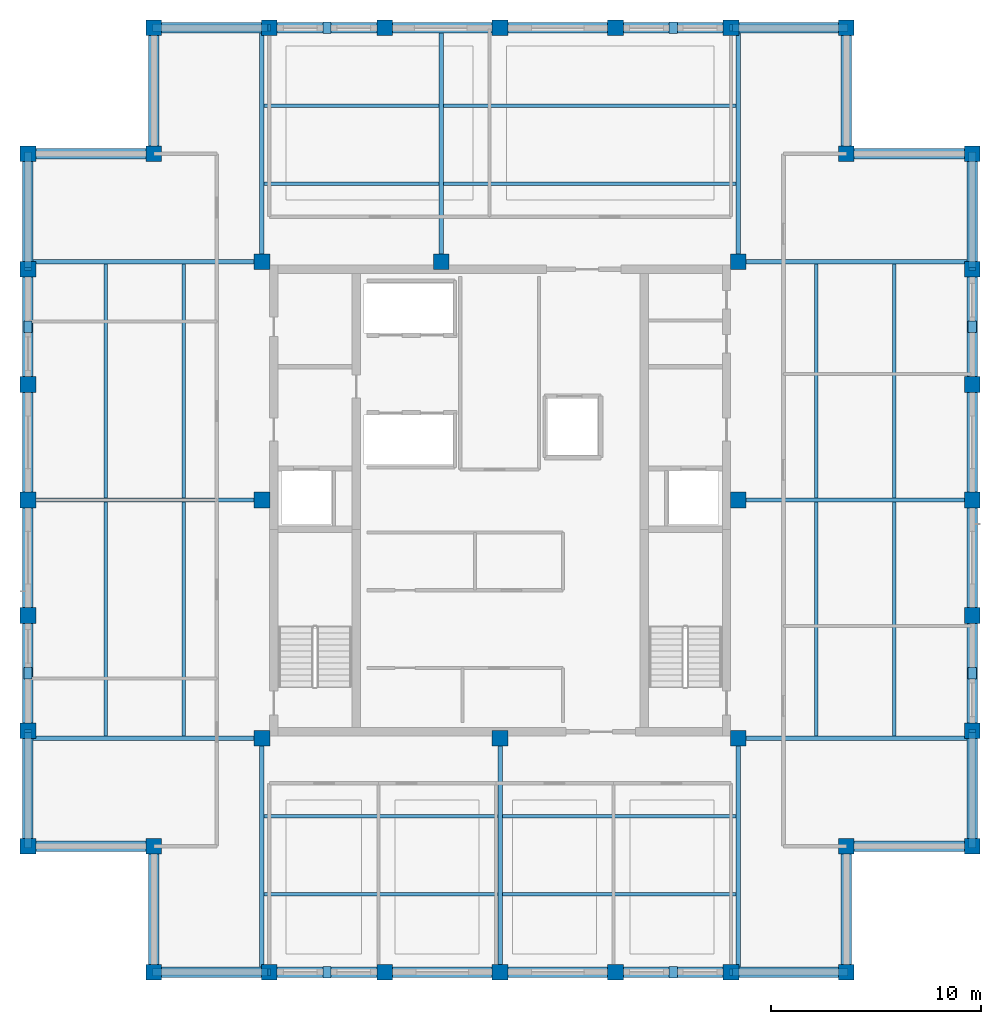
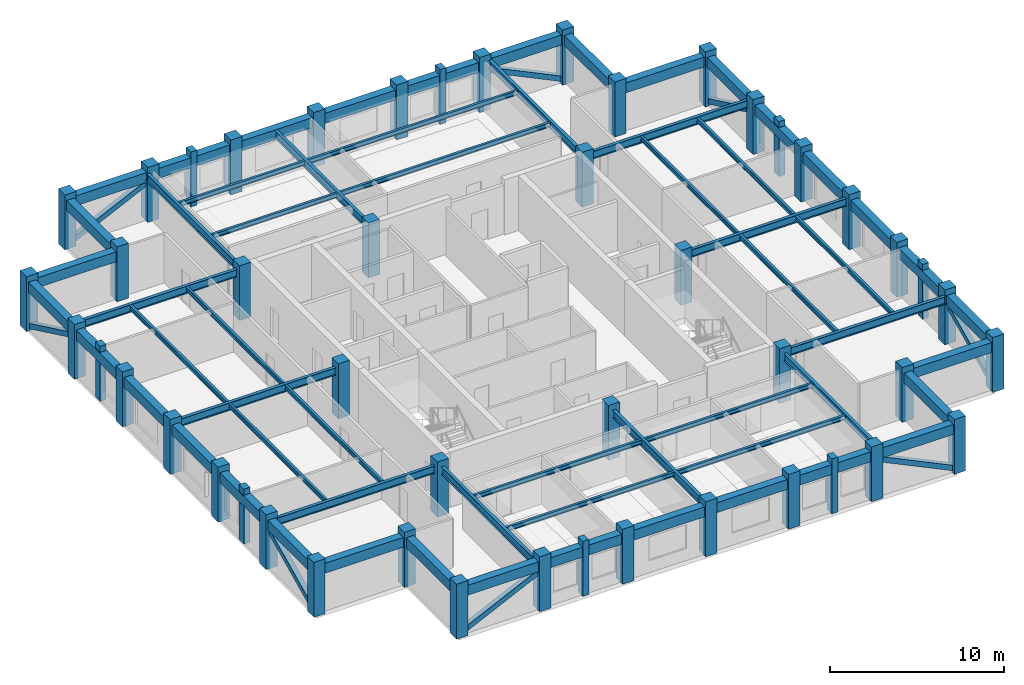
# One storey, part 1 of 10: 60 beams, 40 columns, 16 members.
"""IFC4 building model written with IfcOpenShell, lengths in metres."""

from ifc_helpers import new_model, si_unit, direction, frame, origin, origin_2d, place, context, subcontext, project, spatial, rectangle, hollow_rectangle, i_section, extrude, material, material_profile, profile_set, type_object, element, save


model = new_model("IFC4")

# Units and contexts
model_context = context("Model", 3, precision=1e-05, world=origin(), true_north=direction((0.0, 1.0)))
body_context = subcontext(model_context, "Body", "Model", "MODEL_VIEW")
ifc_project = project(units=[si_unit("LENGTHUNIT", "METRE"), si_unit("AREAUNIT", "SQUARE_METRE"), si_unit("VOLUMEUNIT", "CUBIC_METRE"), si_unit("PLANEANGLEUNIT", "RADIAN"), si_unit("MASSUNIT", "GRAM", prefix="KILO")], contexts=[model_context])

# Site, building, storey
site_placement = place(None, origin())
site = spatial("IfcSite", under=ifc_project, at=site_placement, CompositionType="ELEMENT")
building_placement = place(site_placement, origin())
building = spatial("IfcBuilding", under=site, at=building_placement, Name="Nhamokura Convention Tower", CompositionType="ELEMENT")
storey_placement = place(building_placement, frame((0.0, 0.0, 262.14990234375)))
storey = spatial("IfcBuildingStorey", under=building, at=storey_placement, Name="L64", CompositionType="ELEMENT", Elevation=262.14990234375)

# Columns
ifc_material_1 = material(Name="Concrete C50/60", Category="concrete")
ifc_material_profile_1 = material_profile(ifc_material_1, rectangle(XDim=0.75, YDim=0.75, at=origin_2d()))
ifc_profile_set_1 = profile_set([ifc_material_profile_1], Name="Concrete C50/60")
column_type = type_object("IfcColumnType", Name="TubeColumn_Z4_750", PredefinedType="COLUMN", material=ifc_profile_set_1)
for number, where, z_axis, x_axis, name in (
    (1, (20.64990234375, 20.64990234375, 0.0), (0.0, 0.0, 1.0), (1.0, 0.0, 0.0), "L64 Core Column CC-SW"),
    (2, (32.0, 20.64990234375, 0.0), (0.0, 0.0, 1.0), (1.0, 0.0, 0.0), "L64 Core Column CC-S"),
    (3, (43.35009765625, 20.64990234375, 0.0), (0.0, 0.0, 1.0), (1.0, 0.0, 0.0), "L64 Core Column CC-SE"),
    (4, (43.35009765625, 32.0, 0.0), (0.0, 0.0, 1.0), (1.0, 0.0, 0.0), "L64 Core Column CC-E"),
    (5, (43.35009765625, 43.35009765625, 0.0), (0.0, 0.0, 1.0), (1.0, 0.0, 0.0), "L64 Core Column CC-NE"),
    (6, (29.199951171875, 43.35009765625, 0.0), (0.0, 0.0, 1.0), (1.0, 0.0, 0.0), "L64 Core Column CC-N"),
    (7, (20.64990234375, 43.35009765625, 0.0), (0.0, 0.0, 1.0), (1.0, 0.0, 0.0), "L64 Core Column CC-NW"),
    (8, (20.64990234375, 32.0, 0.0), (0.0, 0.0, 1.0), (1.0, 0.0, 0.0), "L64 Core Column CC-W"),
    (9, (15.5, 9.5, 0.0), (0.0, 0.0, 1.0), (1.0, 0.0, 0.0), "L64 Perimeter Tube Column SW1"),
    (10, (15.5, 15.5, 0.0), (0.0, 0.0, 1.0), (1.0, 0.0, 0.0), "L64 Perimeter Tube Column SW0"),
    (11, (9.5, 15.5, 0.0), (0.0, 0.0, 1.0), (1.0, 0.0, 0.0), "L64 Perimeter Tube Column SW2"),
    (12, (48.5, 9.5, 0.0), (0.0, 0.0, 1.0), (1.0, 0.0, 0.0), "L64 Perimeter Tube Column SE1"),
    (13, (48.5, 15.5, 0.0), (0.0, 0.0, 1.0), (1.0, 0.0, 0.0), "L64 Perimeter Tube Column SE0"),
    (14, (54.5, 15.5, 0.0), (0.0, 0.0, 1.0), (1.0, 0.0, 0.0), "L64 Perimeter Tube Column SE2"),
    (15, (54.5, 48.5, 0.0), (0.0, 0.0, 1.0), (1.0, 0.0, 0.0), "L64 Perimeter Tube Column NE1"),
    (16, (48.5, 48.5, 0.0), (0.0, 0.0, 1.0), (1.0, 0.0, 0.0), "L64 Perimeter Tube Column NE0"),
    (17, (48.5, 54.5, 0.0), (0.0, 0.0, 1.0), (1.0, 0.0, 0.0), "L64 Perimeter Tube Column NE2"),
    (18, (15.5, 54.5, 0.0), (0.0, 0.0, 1.0), (1.0, 0.0, 0.0), "L64 Perimeter Tube Column NW1"),
    (19, (15.5, 48.5, 0.0), (0.0, 0.0, 1.0), (1.0, 0.0, 0.0), "L64 Perimeter Tube Column NW0"),
    (20, (9.5, 48.5, 0.0), (0.0, 0.0, 1.0), (1.0, 0.0, 0.0), "L64 Perimeter Tube Column NW2"),
    (21, (21.0, 9.5, 0.0), (0.0, 0.0, 1.0), (1.0, 0.0, 0.0), "L64 Perimeter Tube Column S1"),
    (22, (21.0, 54.5, 0.0), (0.0, 0.0, 1.0), (1.0, 0.0, 0.0), "L64 Perimeter Tube Column N1"),
    (23, (9.5, 21.0, 0.0), (0.0, 0.0, 1.0), (1.0, 0.0, 0.0), "L64 Perimeter Tube Column W1"),
    (24, (54.5, 21.0, 0.0), (0.0, 0.0, 1.0), (1.0, 0.0, 0.0), "L64 Perimeter Tube Column E1"),
    (25, (26.5, 9.5, 0.0), (0.0, 0.0, 1.0), (1.0, 0.0, 0.0), "L64 Perimeter Tube Column S2"),
    (26, (26.5, 54.5, 0.0), (0.0, 0.0, 1.0), (1.0, 0.0, 0.0), "L64 Perimeter Tube Column N2"),
    (27, (9.5, 26.5, 0.0), (0.0, 0.0, 1.0), (1.0, 0.0, 0.0), "L64 Perimeter Tube Column W2"),
    (28, (54.5, 26.5, 0.0), (0.0, 0.0, 1.0), (1.0, 0.0, 0.0), "L64 Perimeter Tube Column E2"),
    (29, (32.0, 9.5, 0.0), (0.0, 0.0, 1.0), (1.0, 0.0, 0.0), "L64 Perimeter Tube Column S3"),
    (30, (32.0, 54.5, 0.0), (0.0, 0.0, 1.0), (1.0, 0.0, 0.0), "L64 Perimeter Tube Column N3"),
    (31, (9.5, 32.0, 0.0), (0.0, 0.0, 1.0), (1.0, 0.0, 0.0), "L64 Perimeter Tube Column W3"),
    (32, (54.5, 32.0, 0.0), (0.0, 0.0, 1.0), (1.0, 0.0, 0.0), "L64 Perimeter Tube Column E3"),
    (33, (37.5, 9.5, 0.0), (0.0, 0.0, 1.0), (1.0, 0.0, 0.0), "L64 Perimeter Tube Column S4"),
    (34, (37.5, 54.5, 0.0), (0.0, 0.0, 1.0), (1.0, 0.0, 0.0), "L64 Perimeter Tube Column N4"),
    (35, (9.5, 37.5, 0.0), (0.0, 0.0, 1.0), (1.0, 0.0, 0.0), "L64 Perimeter Tube Column W4"),
    (36, (54.5, 37.5, 0.0), (0.0, 0.0, 1.0), (1.0, 0.0, 0.0), "L64 Perimeter Tube Column E4"),
    (37, (43.0, 9.5, 0.0), (0.0, 0.0, 1.0), (1.0, 0.0, 0.0), "L64 Perimeter Tube Column S5"),
    (38, (43.0, 54.5, 0.0), (0.0, 0.0, 1.0), (1.0, 0.0, 0.0), "L64 Perimeter Tube Column N5"),
    (39, (9.5, 43.0, 0.0), (0.0, 0.0, 1.0), (1.0, 0.0, 0.0), "L64 Perimeter Tube Column W5"),
    (40, (54.5, 43.0, 0.0), (0.0, 0.0, 1.0), (1.0, 0.0, 0.0), "L64 Perimeter Tube Column E5"),
):
    element("IfcColumn", number, at=place(storey_placement, frame(where, z_axis=z_axis, x_axis=x_axis)), inside=storey, type_object=column_type, Name=name, PredefinedType="COLUMN", context=body_context, shape_type="SweptSolid", body=[
        extrude(rectangle(XDim=0.75, YDim=0.75, at=origin_2d()), origin(), (0.0, 0.0, 1.0), 3.85009765625),
    ])

# Members
ifc_material_2 = material(Name="Bronze-pigmented precast concrete C45/55", Category="concrete")
ifc_material_profile_2 = material_profile(ifc_material_2, rectangle(XDim=0.39990234375, YDim=0.550048828125, at=origin_2d()))
ifc_profile_set_2 = profile_set([ifc_material_profile_2], Name="Bronze-pigmented precast concrete C45/55")
member_type_1 = type_object("IfcMemberType", Name="BronzePilaster_550", PredefinedType="USERDEFINED", material=ifc_profile_set_2)
for number, where, z_axis, x_axis, name in (
    (41, (23.75, 9.5, 0.0), (0.0, 0.0, 1.0), (1.0, 0.0, 0.0), "L64 Engaged Frame Pilaster SOUTH 1"),
    (42, (40.25, 9.5, 0.0), (0.0, 0.0, 1.0), (1.0, 0.0, 0.0), "L64 Engaged Frame Pilaster SOUTH 4"),
    (43, (23.75, 54.5, 0.0), (0.0, 0.0, 1.0), (1.0, 0.0, 0.0), "L64 Engaged Frame Pilaster NORTH 1"),
    (44, (40.25, 54.5, 0.0), (0.0, 0.0, 1.0), (1.0, 0.0, 0.0), "L64 Engaged Frame Pilaster NORTH 4"),
    (45, (9.5, 23.75, 0.0), (0.0, 0.0, 1.0), (1.0, 0.0, 0.0), "L64 Engaged Frame Pilaster WEST 1"),
    (46, (9.5, 40.25, 0.0), (0.0, 0.0, 1.0), (1.0, 0.0, 0.0), "L64 Engaged Frame Pilaster WEST 4"),
    (47, (54.5, 23.75, 0.0), (0.0, 0.0, 1.0), (1.0, 0.0, 0.0), "L64 Engaged Frame Pilaster EAST 1"),
    (48, (54.5, 40.25, 0.0), (0.0, 0.0, 1.0), (1.0, 0.0, 0.0), "L64 Engaged Frame Pilaster EAST 4"),
):
    element("IfcMember", number, at=place(storey_placement, frame(where, z_axis=z_axis, x_axis=x_axis)), inside=storey, type_object=member_type_1, Name=name, ObjectType="PILASTER_TRIM", PredefinedType="USERDEFINED", context=body_context, shape_type="SweptSolid", body=[
        extrude(rectangle(XDim=0.39990234375, YDim=0.550048828125, at=origin_2d()), origin(), (0.0, 0.0, 1.0), 3.85009765625),
    ])

# Beams
ifc_material_3 = material(Name="Steel ASTM A992 Gr 50", Category="steel")
ifc_material_profile_3 = material_profile(ifc_material_3, i_section(OverallWidth=0.166015625, OverallDepth=0.31298828125, WebThickness=0.006591796875, FlangeThickness=0.01123046875, at=origin_2d()))
ifc_profile_set_3 = profile_set([ifc_material_profile_3], Name="Steel ASTM A992 Gr 50")
beam_type_1 = type_object("IfcBeamType", Name="FloorJoist_W310X45", PredefinedType="JOIST", material=ifc_profile_set_3)
for number, where, z_axis, x_axis, name in (
    (49, (20.75244140625, 13.216796875, 3.273681640625), (1.0, 0.0, 0.0), (0.0, 1.0, 0.0), "L64 Composite Floor Joist S1A"),
    (50, (32.1025390625, 13.216796875, 3.273681640625), (1.0, 0.0, 0.0), (0.0, 1.0, 0.0), "L64 Composite Floor Joist S1B"),
    (51, (20.75244140625, 16.933349609375, 3.273681640625), (1.0, 0.0, 0.0), (0.0, 1.0, 0.0), "L64 Composite Floor Joist S2A"),
    (52, (32.1025390625, 16.933349609375, 3.273681640625), (1.0, 0.0, 0.0), (0.0, 1.0, 0.0), "L64 Composite Floor Joist S2B"),
):
    element("IfcBeam", number, at=place(storey_placement, frame(where, z_axis=z_axis, x_axis=x_axis)), inside=storey, type_object=beam_type_1, Name=name, PredefinedType="JOIST", context=body_context, shape_type="SweptSolid", body=[
        extrude(i_section(OverallWidth=0.166015625, OverallDepth=0.31298828125, WebThickness=0.006591796875, FlangeThickness=0.01123046875, at=origin_2d()), origin(), (0.0, 0.0, 1.0), 11.14501953125),
    ])
beam_1_placement = place(storey_placement, frame((20.75244140625, 47.066650390625, 3.273681640625), z_axis=(1.0, 0.0, 0.0), x_axis=(0.0, 1.0, 0.0)))
element("IfcBeam", 53, at=beam_1_placement, inside=storey, type_object=beam_type_1, Name="L64 Composite Floor Joist N1A", PredefinedType="JOIST", context=body_context, shape_type="SweptSolid", body=[
    extrude(i_section(OverallWidth=0.166015625, OverallDepth=0.31298828125, WebThickness=0.006591796875, FlangeThickness=0.01123046875, at=origin_2d()), origin(), (0.0, 0.0, 1.0), 8.344970703125),
])
beam_2_placement = place(storey_placement, frame((29.302490234375, 47.066650390625, 3.273681640625), z_axis=(1.0, 0.0, 0.0), x_axis=(0.0, 1.0, 0.0)))
element("IfcBeam", 54, at=beam_2_placement, inside=storey, type_object=beam_type_1, Name="L64 Composite Floor Joist N1B", PredefinedType="JOIST", context=body_context, shape_type="SweptSolid", body=[
    extrude(i_section(OverallWidth=0.166015625, OverallDepth=0.31298828125, WebThickness=0.006591796875, FlangeThickness=0.01123046875, at=origin_2d()), origin(), (0.0, 0.0, 1.0), 13.945068359375),
])
beam_3_placement = place(storey_placement, frame((20.75244140625, 50.783203125, 3.273681640625), z_axis=(1.0, 0.0, 0.0), x_axis=(0.0, 1.0, 0.0)))
element("IfcBeam", 55, at=beam_3_placement, inside=storey, type_object=beam_type_1, Name="L64 Composite Floor Joist N2A", PredefinedType="JOIST", context=body_context, shape_type="SweptSolid", body=[
    extrude(i_section(OverallWidth=0.166015625, OverallDepth=0.31298828125, WebThickness=0.006591796875, FlangeThickness=0.01123046875, at=origin_2d()), origin(), (0.0, 0.0, 1.0), 8.344970703125),
])
beam_4_placement = place(storey_placement, frame((29.302490234375, 50.783203125, 3.273681640625), z_axis=(1.0, 0.0, 0.0), x_axis=(0.0, 1.0, 0.0)))
element("IfcBeam", 56, at=beam_4_placement, inside=storey, type_object=beam_type_1, Name="L64 Composite Floor Joist N2B", PredefinedType="JOIST", context=body_context, shape_type="SweptSolid", body=[
    extrude(i_section(OverallWidth=0.166015625, OverallDepth=0.31298828125, WebThickness=0.006591796875, FlangeThickness=0.01123046875, at=origin_2d()), origin(), (0.0, 0.0, 1.0), 13.945068359375),
])
for number, where, z_axis, x_axis, name in (
    (57, (13.216796875, 20.75244140625, 3.273681640625), (0.0, 1.0, 0.0), (-1.0, 0.0, 0.0), "L64 Composite Floor Joist W1A"),
    (58, (13.216796875, 32.1025390625, 3.273681640625), (0.0, 1.0, 0.0), (-1.0, 0.0, 0.0), "L64 Composite Floor Joist W1B"),
    (59, (16.933349609375, 20.75244140625, 3.273681640625), (0.0, 1.0, 0.0), (-1.0, 0.0, 0.0), "L64 Composite Floor Joist W2A"),
    (60, (16.933349609375, 32.1025390625, 3.273681640625), (0.0, 1.0, 0.0), (-1.0, 0.0, 0.0), "L64 Composite Floor Joist W2B"),
    (61, (47.066650390625, 20.75244140625, 3.273681640625), (0.0, 1.0, 0.0), (-1.0, 0.0, 0.0), "L64 Composite Floor Joist E1A"),
    (62, (47.066650390625, 32.1025390625, 3.273681640625), (0.0, 1.0, 0.0), (-1.0, 0.0, 0.0), "L64 Composite Floor Joist E1B"),
    (63, (50.783203125, 20.75244140625, 3.273681640625), (0.0, 1.0, 0.0), (-1.0, 0.0, 0.0), "L64 Composite Floor Joist E2A"),
    (64, (50.783203125, 32.1025390625, 3.273681640625), (0.0, 1.0, 0.0), (-1.0, 0.0, 0.0), "L64 Composite Floor Joist E2B"),
):
    element("IfcBeam", number, at=place(storey_placement, frame(where, z_axis=z_axis, x_axis=x_axis)), inside=storey, type_object=beam_type_1, Name=name, PredefinedType="JOIST", context=body_context, shape_type="SweptSolid", body=[
        extrude(i_section(OverallWidth=0.166015625, OverallDepth=0.31298828125, WebThickness=0.006591796875, FlangeThickness=0.01123046875, at=origin_2d()), origin(), (0.0, 0.0, 1.0), 11.14501953125),
    ])
ifc_material_4 = material(Name="Steel ASTM A992 Gr 50", Category="steel")
ifc_material_profile_4 = material_profile(ifc_material_4, i_section(OverallWidth=0.208984375, OverallDepth=0.532958984375, WebThickness=0.01025390625, FlangeThickness=0.015625, at=origin_2d()))
ifc_profile_set_4 = profile_set([ifc_material_profile_4], Name="Steel ASTM A992 Gr 50")
beam_type_2 = type_object("IfcBeamType", Name="PrimaryGirder_W530X92", PredefinedType="BEAM", material=ifc_profile_set_4)
for number, where, z_axis, x_axis, name in (
    (65, (20.64990234375, 9.5, 3.16357421875), (0.0, 1.0, 0.0), (-1.0, 0.0, 0.0), "L64 Primary Floor Girder PG-S1"),
    (66, (32.0, 9.5, 3.16357421875), (0.0, 1.0, 0.0), (-1.0, 0.0, 0.0), "L64 Primary Floor Girder PG-S2"),
    (67, (43.35009765625, 9.5, 3.16357421875), (0.0, 1.0, 0.0), (-1.0, 0.0, 0.0), "L64 Primary Floor Girder PG-S3"),
    (68, (20.64990234375, 43.35009765625, 3.16357421875), (0.0, 1.0, 0.0), (-1.0, 0.0, 0.0), "L64 Primary Floor Girder PG-N1"),
    (69, (29.199951171875, 43.35009765625, 3.16357421875), (0.0, 1.0, 0.0), (-1.0, 0.0, 0.0), "L64 Primary Floor Girder PG-N2"),
    (70, (43.35009765625, 43.35009765625, 3.16357421875), (0.0, 1.0, 0.0), (-1.0, 0.0, 0.0), "L64 Primary Floor Girder PG-N3"),
    (71, (9.5, 20.64990234375, 3.16357421875), (1.0, 0.0, 0.0), (0.0, 1.0, 0.0), "L64 Primary Floor Girder PG-W1"),
    (72, (9.5, 32.0, 3.16357421875), (1.0, 0.0, 0.0), (0.0, 1.0, 0.0), "L64 Primary Floor Girder PG-W2"),
    (73, (9.5, 43.35009765625, 3.16357421875), (1.0, 0.0, 0.0), (0.0, 1.0, 0.0), "L64 Primary Floor Girder PG-W3"),
    (74, (43.35009765625, 20.64990234375, 3.16357421875), (1.0, 0.0, 0.0), (0.0, 1.0, 0.0), "L64 Primary Floor Girder PG-E1"),
    (75, (43.35009765625, 32.0, 3.16357421875), (1.0, 0.0, 0.0), (0.0, 1.0, 0.0), "L64 Primary Floor Girder PG-E2"),
    (76, (43.35009765625, 43.35009765625, 3.16357421875), (1.0, 0.0, 0.0), (0.0, 1.0, 0.0), "L64 Primary Floor Girder PG-E3"),
):
    element("IfcBeam", number, at=place(storey_placement, frame(where, z_axis=z_axis, x_axis=x_axis)), inside=storey, type_object=beam_type_2, Name=name, PredefinedType="BEAM", context=body_context, shape_type="SweptSolid", body=[
        extrude(i_section(OverallWidth=0.208984375, OverallDepth=0.532958984375, WebThickness=0.01025390625, FlangeThickness=0.015625, at=origin_2d()), origin(), (0.0, 0.0, 1.0), 11.14990234375),
    ])

# Members
ifc_material_5 = material(Name="Steel ASTM A572 Gr 50", Category="steel")
ifc_material_profile_5 = material_profile(ifc_material_5, hollow_rectangle(XDim=0.35009765625, YDim=0.35009765625, WallThickness=0.01611328125, at=origin_2d()))
ifc_profile_set_5 = profile_set([ifc_material_profile_5], Name="Steel ASTM A572 Gr 50")
member_type_2 = type_object("IfcMemberType", Name="TubeBrace_HSS350", PredefinedType="BRACE", material=ifc_profile_set_5)
for number, where, z_axis, x_axis, name in (
    (77, (15.5, 9.5, 0.150146484375), (0.902169459621, 0.0, 0.431381810149), (0.0, 1.0, 0.0), "L64 Perimeter Tube Brace SOUTH Bay 0"),
    (78, (48.5, 9.5, 0.150146484375), (-0.902169459621, 0.0, 0.431381810149), (0.0, -1.0, 0.0), "L64 Perimeter Tube Brace SOUTH Bay 5"),
    (79, (15.5, 54.5, 0.150146484375), (0.902169459621, 0.0, 0.431381810149), (0.0, 1.0, 0.0), "L64 Perimeter Tube Brace NORTH Bay 0"),
    (80, (48.5, 54.5, 0.150146484375), (-0.902169459621, 0.0, 0.431381810149), (0.0, -1.0, 0.0), "L64 Perimeter Tube Brace NORTH Bay 5"),
    (81, (9.5, 15.5, 0.150146484375), (0.0, 0.902169459621, 0.431381810149), (-1.0, 0.0, 0.0), "L64 Perimeter Tube Brace WEST Bay 0"),
    (82, (9.5, 48.5, 0.150146484375), (0.0, -0.902169459621, 0.431381810149), (1.0, 0.0, 0.0), "L64 Perimeter Tube Brace WEST Bay 5"),
    (83, (54.5, 15.5, 0.150146484375), (0.0, 0.902169459621, 0.431381810149), (-1.0, 0.0, 0.0), "L64 Perimeter Tube Brace EAST Bay 0"),
    (84, (54.5, 48.5, 0.150146484375), (0.0, -0.902169459621, 0.431381810149), (1.0, 0.0, 0.0), "L64 Perimeter Tube Brace EAST Bay 5"),
):
    element("IfcMember", number, at=place(storey_placement, frame(where, z_axis=z_axis, x_axis=x_axis)), inside=storey, type_object=member_type_2, Name=name, PredefinedType="BRACE", context=body_context, shape_type="SweptSolid", body=[
        extrude(hollow_rectangle(XDim=0.35009765625, YDim=0.35009765625, WallThickness=0.01611328125, at=origin_2d()), origin(), (0.0, 0.0, 1.0), 6.096435546875),
    ])

# Beams
ifc_material_6 = material(Name="Concrete C50/60", Category="concrete")
ifc_material_profile_6 = material_profile(ifc_material_6, rectangle(XDim=0.5, YDim=0.699951171875, at=origin_2d()))
ifc_profile_set_6 = profile_set([ifc_material_profile_6], Name="Concrete C50/60")
beam_type_3 = type_object("IfcBeamType", Name="TubeSpandrel_700", PredefinedType="SPANDREL", material=ifc_profile_set_6)
for number, where, z_axis, x_axis, name in (
    (85, (15.5, 9.5, 3.080078125), (1.0, 0.0, 0.0), (0.0, 1.0, 0.0), "L64 Perimeter Spandrel SOUTH 1"),
    (86, (21.0, 9.5, 3.080078125), (1.0, 0.0, 0.0), (0.0, 1.0, 0.0), "L64 Perimeter Spandrel SOUTH 2"),
    (87, (26.5, 9.5, 3.080078125), (1.0, 0.0, 0.0), (0.0, 1.0, 0.0), "L64 Perimeter Spandrel SOUTH 3"),
    (88, (32.0, 9.5, 3.080078125), (1.0, 0.0, 0.0), (0.0, 1.0, 0.0), "L64 Perimeter Spandrel SOUTH 4"),
    (89, (37.5, 9.5, 3.080078125), (1.0, 0.0, 0.0), (0.0, 1.0, 0.0), "L64 Perimeter Spandrel SOUTH 5"),
    (90, (43.0, 9.5, 3.080078125), (1.0, 0.0, 0.0), (0.0, 1.0, 0.0), "L64 Perimeter Spandrel SOUTH 6"),
    (91, (15.5, 54.5, 3.080078125), (1.0, 0.0, 0.0), (0.0, 1.0, 0.0), "L64 Perimeter Spandrel NORTH 1"),
    (92, (21.0, 54.5, 3.080078125), (1.0, 0.0, 0.0), (0.0, 1.0, 0.0), "L64 Perimeter Spandrel NORTH 2"),
    (93, (26.5, 54.5, 3.080078125), (1.0, 0.0, 0.0), (0.0, 1.0, 0.0), "L64 Perimeter Spandrel NORTH 3"),
    (94, (32.0, 54.5, 3.080078125), (1.0, 0.0, 0.0), (0.0, 1.0, 0.0), "L64 Perimeter Spandrel NORTH 4"),
    (95, (37.5, 54.5, 3.080078125), (1.0, 0.0, 0.0), (0.0, 1.0, 0.0), "L64 Perimeter Spandrel NORTH 5"),
    (96, (43.0, 54.5, 3.080078125), (1.0, 0.0, 0.0), (0.0, 1.0, 0.0), "L64 Perimeter Spandrel NORTH 6"),
    (97, (9.5, 15.5, 3.080078125), (0.0, 1.0, 0.0), (-1.0, 0.0, 0.0), "L64 Perimeter Spandrel WEST 1"),
    (98, (9.5, 21.0, 3.080078125), (0.0, 1.0, 0.0), (-1.0, 0.0, 0.0), "L64 Perimeter Spandrel WEST 2"),
    (99, (9.5, 26.5, 3.080078125), (0.0, 1.0, 0.0), (-1.0, 0.0, 0.0), "L64 Perimeter Spandrel WEST 3"),
    (100, (9.5, 32.0, 3.080078125), (0.0, 1.0, 0.0), (-1.0, 0.0, 0.0), "L64 Perimeter Spandrel WEST 4"),
    (101, (9.5, 37.5, 3.080078125), (0.0, 1.0, 0.0), (-1.0, 0.0, 0.0), "L64 Perimeter Spandrel WEST 5"),
    (102, (9.5, 43.0, 3.080078125), (0.0, 1.0, 0.0), (-1.0, 0.0, 0.0), "L64 Perimeter Spandrel WEST 6"),
    (103, (54.5, 15.5, 3.080078125), (0.0, 1.0, 0.0), (-1.0, 0.0, 0.0), "L64 Perimeter Spandrel EAST 1"),
    (104, (54.5, 21.0, 3.080078125), (0.0, 1.0, 0.0), (-1.0, 0.0, 0.0), "L64 Perimeter Spandrel EAST 2"),
    (105, (54.5, 26.5, 3.080078125), (0.0, 1.0, 0.0), (-1.0, 0.0, 0.0), "L64 Perimeter Spandrel EAST 3"),
    (106, (54.5, 32.0, 3.080078125), (0.0, 1.0, 0.0), (-1.0, 0.0, 0.0), "L64 Perimeter Spandrel EAST 4"),
    (107, (54.5, 37.5, 3.080078125), (0.0, 1.0, 0.0), (-1.0, 0.0, 0.0), "L64 Perimeter Spandrel EAST 5"),
    (108, (54.5, 43.0, 3.080078125), (0.0, 1.0, 0.0), (-1.0, 0.0, 0.0), "L64 Perimeter Spandrel EAST 6"),
):
    element("IfcBeam", number, at=place(storey_placement, frame(where, z_axis=z_axis, x_axis=x_axis)), inside=storey, type_object=beam_type_3, Name=name, PredefinedType="SPANDREL", context=body_context, shape_type="SweptSolid", body=[
        extrude(rectangle(XDim=0.5, YDim=0.699951171875, at=origin_2d()), origin(), (0.0, 0.0, 1.0), 5.5),
    ])
for number, where, z_axis, x_axis, name in (
    (109, (15.5, 9.5, 3.080078125), (0.0, 1.0, 0.0), (-1.0, 0.0, 0.0), "L64 Notch Spandrel SW1"),
    (110, (15.5, 15.5, 3.080078125), (-1.0, 0.0, 0.0), (0.0, -1.0, 0.0), "L64 Notch Spandrel SW2"),
    (111, (48.5, 9.5, 3.080078125), (0.0, 1.0, 0.0), (-1.0, 0.0, 0.0), "L64 Notch Spandrel SE1"),
    (112, (48.5, 15.5, 3.080078125), (1.0, 0.0, 0.0), (0.0, 1.0, 0.0), "L64 Notch Spandrel SE2"),
    (113, (54.5, 48.5, 3.080078125), (-1.0, 0.0, 0.0), (0.0, -1.0, 0.0), "L64 Notch Spandrel NE1"),
    (114, (48.5, 48.5, 3.080078125), (0.0, 1.0, 0.0), (-1.0, 0.0, 0.0), "L64 Notch Spandrel NE2"),
    (115, (15.5, 54.5, 3.080078125), (0.0, -1.0, 0.0), (1.0, 0.0, 0.0), "L64 Notch Spandrel NW1"),
    (116, (15.5, 48.5, 3.080078125), (-1.0, 0.0, 0.0), (0.0, -1.0, 0.0), "L64 Notch Spandrel NW2"),
):
    element("IfcBeam", number, at=place(storey_placement, frame(where, z_axis=z_axis, x_axis=x_axis)), inside=storey, type_object=beam_type_3, Name=name, PredefinedType="SPANDREL", context=body_context, shape_type="SweptSolid", body=[
        extrude(rectangle(XDim=0.5, YDim=0.699951171875, at=origin_2d()), origin(), (0.0, 0.0, 1.0), 6.0),
    ])

save(model, "model.ifc")
